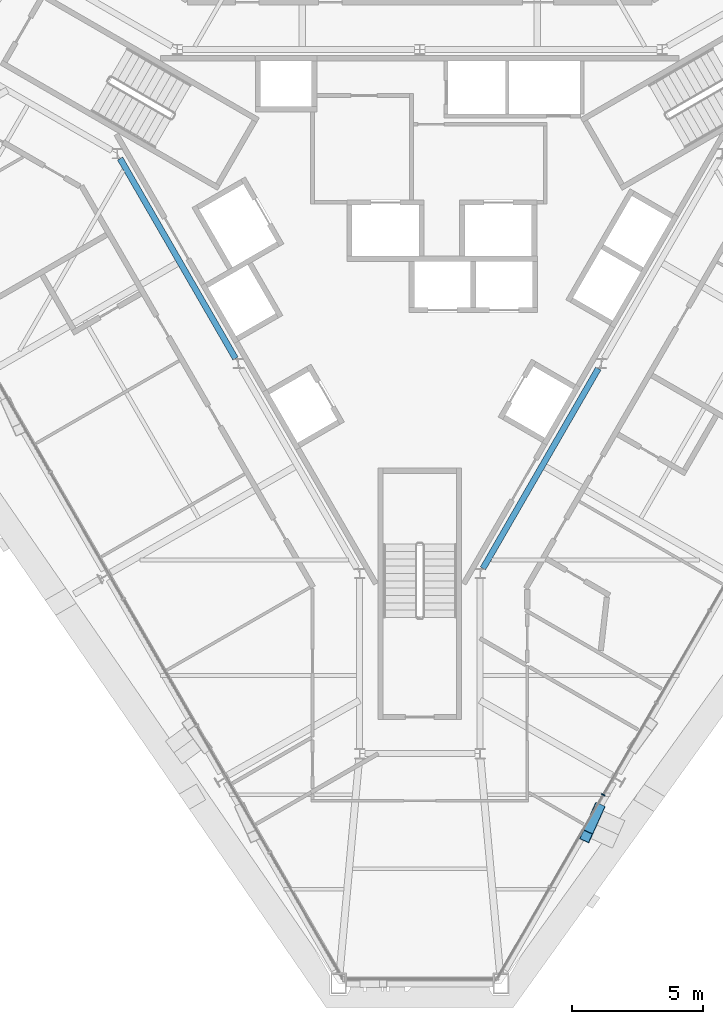
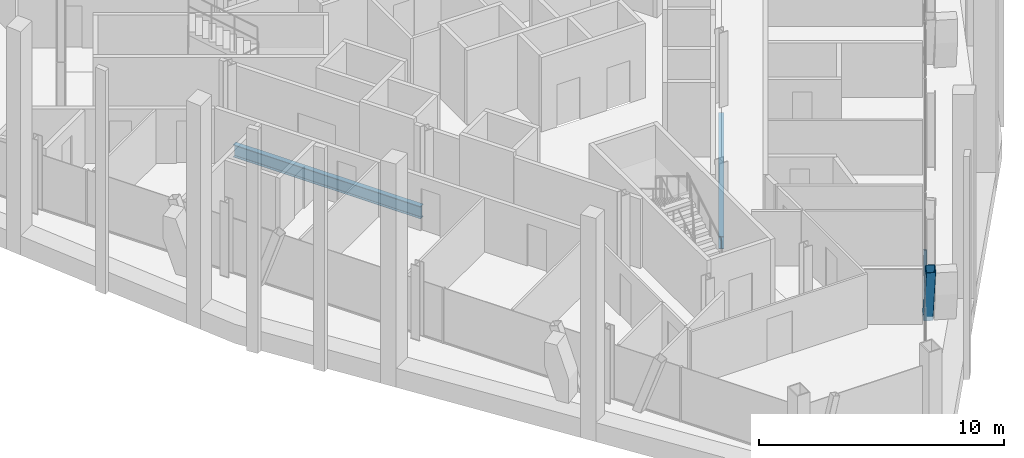
# One storey, part 5 of 16: 2 beams, 2 members, 1 element without a shape of its own.
"""IFC4 building model written with IfcOpenShell, lengths in metres."""

from ifc_helpers import new_model, si_unit, direction, frame, origin, origin_2d, place, context, subcontext, project, spatial, rectangle, hollow_rectangle, i_section, extrude, material, material_profile, profile_set, type_object, element, aggregate, save


model = new_model("IFC4")

# Units and contexts
model_context = context("Model", 3, precision=1e-05, world=origin(), true_north=direction((0.0, 1.0)))
body_context = subcontext(model_context, "Body", "Model", "MODEL_VIEW")
ifc_project = project(units=[si_unit("LENGTHUNIT", "METRE"), si_unit("AREAUNIT", "SQUARE_METRE"), si_unit("VOLUMEUNIT", "CUBIC_METRE"), si_unit("PLANEANGLEUNIT", "RADIAN"), si_unit("MASSUNIT", "GRAM", prefix="KILO")], contexts=[model_context])

# Site, building, storey
site_placement = place(None, origin())
site = spatial("IfcSite", under=ifc_project, at=site_placement, CompositionType="ELEMENT")
building_placement = place(site_placement, origin())
building = spatial("IfcBuilding", under=site, at=building_placement, Name="Verrane Prism Tower", CompositionType="ELEMENT")
storey_placement = place(building_placement, frame((0.0, 0.0, 236.0)))
storey = spatial("IfcBuildingStorey", under=building, at=storey_placement, Name="L59", CompositionType="ELEMENT", Elevation=236.0)

# Beams
ifc_material_1 = material(Name="Steel A992", Category="steel")
ifc_material_profile_1 = material_profile(ifc_material_1, i_section(OverallWidth=0.23046875, OverallDepth=0.6171875, WebThickness=0.01318359375, FlangeThickness=0.022216796875, FilletRadius=0.012939453125, at=origin_2d()), Name="W24x94")
ifc_profile_set_1 = profile_set([ifc_material_profile_1], Name="Steel A992")
beam_type = type_object("IfcBeamType", Name="Core ring girder W24x94", PredefinedType="BEAM", material=ifc_profile_set_1)
beam_1_placement = place(storey_placement, frame((-11.448486328125, 3.826904296875, -0.55859375), z_axis=(0.499967007444, -0.866044451208, 0.0), x_axis=(0.866044451208, 0.499967007444, 0.0)))
element("IfcBeam", 1, at=beam_1_placement, inside=storey, type_object=beam_type, Name="Core ring girder L59", PredefinedType="BEAM", context=body_context, shape_type="SweptSolid", body=[
    extrude(i_section(OverallWidth=0.23046875, OverallDepth=0.6171875, WebThickness=0.01318359375, FlangeThickness=0.022216796875, FilletRadius=0.012939453125, at=origin_2d()), origin(), (0.0, 0.0, 1.0), 8.814453125),
])
beam_2_placement = place(storey_placement, frame((2.411376953125, -11.826904296875, -0.55859375), z_axis=(0.499987781028, 0.866032458297, 0.0), x_axis=(-0.866032458297, 0.499987781028, 0.0)))
element("IfcBeam", 2, at=beam_2_placement, inside=storey, type_object=beam_type, Name="Core ring girder L59", PredefinedType="BEAM", context=body_context, shape_type="SweptSolid", body=[
    extrude(i_section(OverallWidth=0.23046875, OverallDepth=0.6171875, WebThickness=0.01318359375, FlangeThickness=0.022216796875, FilletRadius=0.012939453125, at=origin_2d()), origin(), (0.0, 0.0, 1.0), 8.814697265625),
])

# Member
ifc_material_2 = material(Name="Steel A500 Grade C", Category="steel")
ifc_material_profile_2 = material_profile(ifc_material_2, hollow_rectangle(XDim=0.406494140625, YDim=0.406494140625, WallThickness=0.01904296875, InnerFilletRadius=0.009521484375, OuterFilletRadius=0.028564453125, at=origin_2d()), Name="HSS16x16x3/4")
ifc_profile_set_2 = profile_set([ifc_material_profile_2], Name="Steel A500 Grade C")
member_type_1 = type_object("IfcMemberType", Name="Facade brace HSS16x16x3/4", PredefinedType="BRACE", material=ifc_profile_set_2)
member_1_placement = place(storey_placement, frame((6.824462890625, -21.012451171875, -0.216796875), z_axis=(-0.138988500979, -0.308951171514, 0.940867349957), x_axis=(0.911965161742, -0.410267648944, 0.0)))
element("IfcMember", 3, at=member_1_placement, inside=storey, type_object=member_type_1, Name="Facade brace SE0 L59", PredefinedType="BRACE", context=body_context, shape_type="SweptSolid", body=[
    extrude(hollow_rectangle(XDim=0.406494140625, YDim=0.406494140625, WallThickness=0.01904296875, InnerFilletRadius=0.009521484375, OuterFilletRadius=0.028564453125, at=origin_2d()), origin(), (0.0, 0.0, 1.0), 3.397216796875),
])

# Curtain wall, member
ifc_material_3 = material(Name="Aluminium framed insulated glazing", Category="aluminium")
curtain_wall_type = type_object("IfcCurtainWallType", Name="Curtain wall CW-C 4200 module", PredefinedType="NOTDEFINED", material=ifc_material_3)
curtain_wall_placement = place(storey_placement, origin())
curtain_wall = element("IfcCurtainWall", 4, at=curtain_wall_placement, inside=storey, type_object=curtain_wall_type, Name="Glazed curtain wall south-east face L59", PredefinedType="NOTDEFINED")
ifc_material_4 = material(Name="Aluminium alloy 6063-T6", Category="aluminium")
ifc_material_profile_3 = material_profile(ifc_material_4, rectangle(XDim=0.139892578125, YDim=0.050048828125, at=origin_2d()), Name="Mullion 50x140 aluminium")
ifc_profile_set_3 = profile_set([ifc_material_profile_3], Name="Aluminium alloy 6063-T6")
member_type_2 = type_object("IfcMemberType", Name="Mullion 50x140 aluminium", PredefinedType="MULLION", material=ifc_profile_set_3)
member_2_placement = place(storey_placement, frame((7.00341796875, -20.473388671875, 0.0), z_axis=(0.0, 0.0, 1.0), x_axis=(-0.866025759098, 0.499999384578, 0.0)))
member_2 = element("IfcMember", 5, at=member_2_placement, type_object=member_type_2, Name="CW59.6 mullion 3", PredefinedType="MULLION", context=body_context, shape_type="SweptSolid", body=[
    extrude(rectangle(XDim=0.139892578125, YDim=0.050048828125, at=origin_2d()), origin(), (0.0, 0.0, 1.0), 2.712890625),
])
aggregate(curtain_wall, [member_2])

save(model, "model.ifc")
